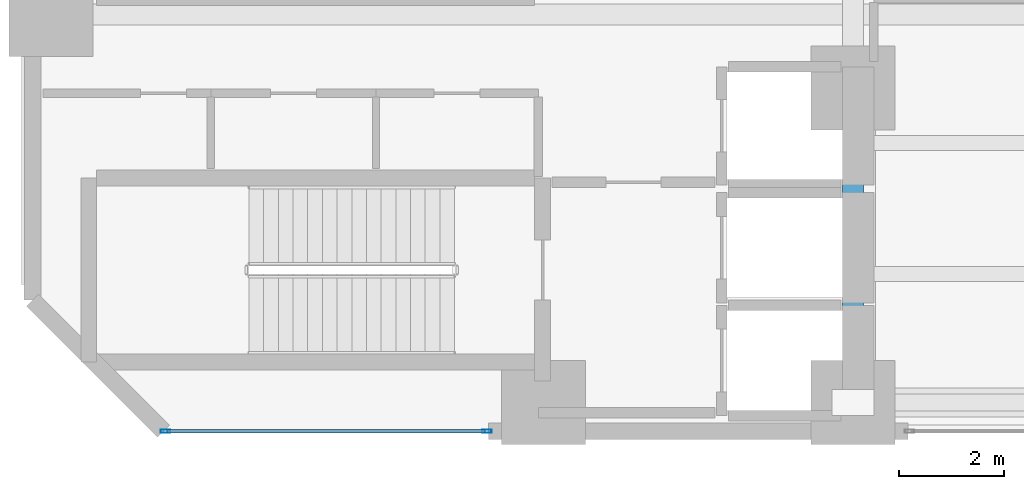
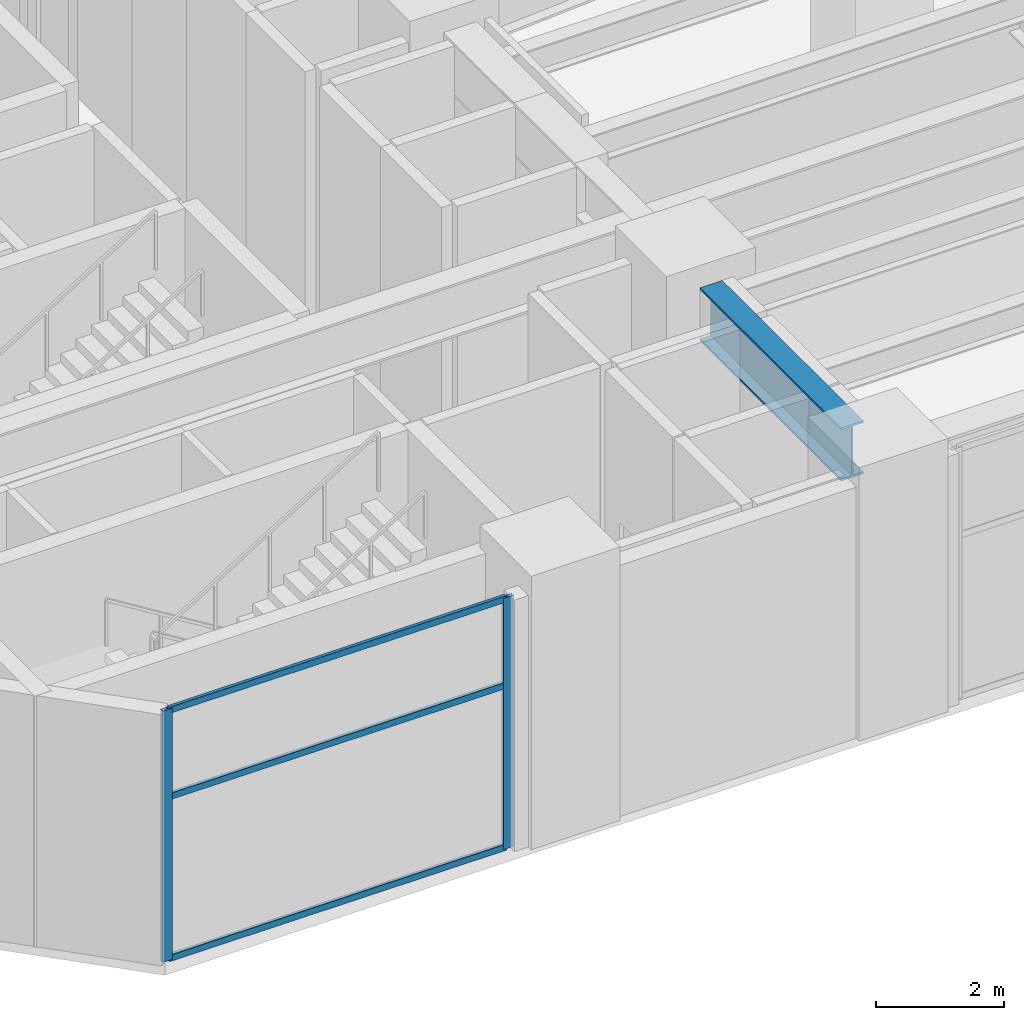
# One storey, part 2 of 29: 5 members, 1 beam, 1 element without a shape of its own.
"""IFC4 building model written with IfcOpenShell, lengths in metres."""

from ifc_helpers import new_model, si_unit, direction, frame, origin, origin_2d, place, context, subcontext, project, spatial, hollow_rectangle, i_section, extrude, material, layer, layer_set, material_profile, profile_set, type_object, element, aggregate, save


model = new_model("IFC4")

# Units and contexts
model_context = context("Model", 3, precision=1e-05, world=origin(), true_north=direction((0.0, 1.0)))
body_context = subcontext(model_context, "Body", "Model", "MODEL_VIEW")
ifc_project = project(units=[si_unit("LENGTHUNIT", "METRE"), si_unit("AREAUNIT", "SQUARE_METRE"), si_unit("VOLUMEUNIT", "CUBIC_METRE"), si_unit("PLANEANGLEUNIT", "RADIAN"), si_unit("MASSUNIT", "GRAM", prefix="KILO")], contexts=[model_context])

# Site, building, storey
site_placement = place(None, origin())
site = spatial("IfcSite", under=ifc_project, at=site_placement, CompositionType="ELEMENT")
building_placement = place(site_placement, origin())
building = spatial("IfcBuilding", under=site, at=building_placement, Name="Mawjaban Terraces University", CompositionType="ELEMENT")
storey_placement = place(building_placement, frame((0.0, 0.0, 20.800048828125)))
storey = spatial("IfcBuildingStorey", under=building, at=storey_placement, Name="L04", CompositionType="ELEMENT", Elevation=20.800048828125)

# Beam
ifc_material_1 = material(Name="Steel ASTM A913 Grade 65", Category="steel")
ifc_material_profile_1 = material_profile(ifc_material_1, i_section(OverallWidth=0.402099609375, OverallDepth=1.011962890625, WebThickness=0.02392578125, FlangeThickness=0.0400390625, at=origin_2d()), Name="W1000X443")
ifc_profile_set_1 = profile_set([ifc_material_profile_1], Name="Steel ASTM A913 Grade 65")
beam_type = type_object("IfcBeamType", Name="Beam_B_W1000X443", PredefinedType="BEAM", material=ifc_profile_set_1)
beam_placement = place(storey_placement, frame((37.64990234375, 1.35009765625, 4.27392578125), z_axis=(0.0, 1.0, 0.0), x_axis=(-1.0, 0.0, 0.0)))
element("IfcBeam", 1, at=beam_placement, inside=storey, type_object=beam_type, Name="L04 Beam BM-L04-NS-05", PredefinedType="BEAM", context=body_context, shape_type="SweptSolid", body=[
    extrude(i_section(OverallWidth=0.402099609375, OverallDepth=1.011962890625, WebThickness=0.02392578125, FlangeThickness=0.0400390625, at=origin_2d()), origin(), (0.0, 0.0, 1.0), 4.39990234375),
])

# Curtain wall, members
ifc_material_2 = material(Name="Anodised aluminium 6063-T6 and solar-control low-E glass", Category="aluminium")
ifc_layer = layer(ifc_material_2, 0.175048828125)
ifc_layer_set = layer_set([ifc_layer], Name="Anodised aluminium 6063-T6 and solar-control low-E glass")
curtain_wall_type = type_object("IfcCurtainWallType", Name="CWSystem_02_PodiumLibrary", PredefinedType="NOTDEFINED", material=ifc_layer_set)
curtain_wall_placement = place(storey_placement, origin())
curtain_wall = element("IfcCurtainWall", 2, at=curtain_wall_placement, inside=storey, type_object=curtain_wall_type, Name="L04 Curtain Wall CW-02 Run 1.1", PredefinedType="NOTDEFINED")
ifc_material_3 = material(Name="Anodised aluminium 6063-T6", Category="aluminium")
ifc_material_profile_2 = material_profile(ifc_material_3, hollow_rectangle(XDim=0.06494140625, YDim=0.179931640625, WallThickness=0.00390625, at=origin_2d()), Name="ALU180X65X4")
ifc_profile_set_2 = profile_set([ifc_material_profile_2], Name="Anodised aluminium 6063-T6")
member_type_1 = type_object("IfcMemberType", Name="Mullion_CW-02", PredefinedType="MULLION", material=ifc_profile_set_2)
member_1_placement = place(storey_placement, frame((24.532470703125, 0.0, 0.0), z_axis=(0.0, 0.0, 1.0), x_axis=(0.0, 1.0, 0.0)))
member_1 = element("IfcMember", 3, at=member_1_placement, type_object=member_type_1, Name="CW-02 mullion 1", PredefinedType="MULLION", context=body_context, shape_type="SweptSolid", body=[
    extrude(hollow_rectangle(XDim=0.06494140625, YDim=0.179931640625, WallThickness=0.00390625, at=origin_2d()), origin(), (0.0, 0.0, 1.0), 4.780029296875),
])
member_2_placement = place(storey_placement, frame((30.66748046875, 0.0, 0.0), z_axis=(0.0, 0.0, 1.0), x_axis=(0.0, 1.0, 0.0)))
member_2 = element("IfcMember", 4, at=member_2_placement, type_object=member_type_1, Name="CW-02 mullion 2", PredefinedType="MULLION", context=body_context, shape_type="SweptSolid", body=[
    extrude(hollow_rectangle(XDim=0.06494140625, YDim=0.179931640625, WallThickness=0.00390625, at=origin_2d()), origin(), (0.0, 0.0, 1.0), 4.780029296875),
])
ifc_material_profile_3 = material_profile(ifc_material_3, hollow_rectangle(XDim=0.06005859375, YDim=0.1201171875, WallThickness=0.00341796875, at=origin_2d()), Name="ALU120X60X3.5")
ifc_profile_set_3 = profile_set([ifc_material_profile_3], Name="Anodised aluminium 6063-T6")
member_type_2 = type_object("IfcMemberType", Name="Transom_CW-02", PredefinedType="NOTDEFINED", material=ifc_profile_set_3)
member_3_placement = place(storey_placement, frame((24.56494140625, 0.0, 0.030029296875), z_axis=(1.0, 0.0, 0.0), x_axis=(0.0, 1.0, 0.0)))
member_3 = element("IfcMember", 5, at=member_3_placement, type_object=member_type_2, Name="CW-02 transom 1.1", ObjectType="TRANSOM", PredefinedType="USERDEFINED", context=body_context, shape_type="SweptSolid", body=[
    extrude(hollow_rectangle(XDim=0.06005859375, YDim=0.1201171875, WallThickness=0.00341796875, at=origin_2d()), origin(), (0.0, 0.0, 1.0), 6.070068359375),
])
member_4_placement = place(storey_placement, frame((24.56494140625, 0.0, 3.10693359375), z_axis=(1.0, 0.0, 0.0), x_axis=(0.0, 1.0, 0.0)))
member_4 = element("IfcMember", 6, at=member_4_placement, type_object=member_type_2, Name="CW-02 transom 1.2", ObjectType="TRANSOM", PredefinedType="USERDEFINED", context=body_context, shape_type="SweptSolid", body=[
    extrude(hollow_rectangle(XDim=0.06005859375, YDim=0.1201171875, WallThickness=0.00341796875, at=origin_2d()), origin(), (0.0, 0.0, 1.0), 6.070068359375),
])
member_5_placement = place(storey_placement, frame((24.56494140625, 0.0, 4.75), z_axis=(1.0, 0.0, 0.0), x_axis=(0.0, 1.0, 0.0)))
member_5 = element("IfcMember", 7, at=member_5_placement, type_object=member_type_2, Name="CW-02 transom 1.3", ObjectType="TRANSOM", PredefinedType="USERDEFINED", context=body_context, shape_type="SweptSolid", body=[
    extrude(hollow_rectangle(XDim=0.06005859375, YDim=0.1201171875, WallThickness=0.00341796875, at=origin_2d()), origin(), (0.0, 0.0, 1.0), 6.070068359375),
])
aggregate(curtain_wall, [member_1, member_2, member_3, member_4, member_5])

save(model, "model.ifc")
